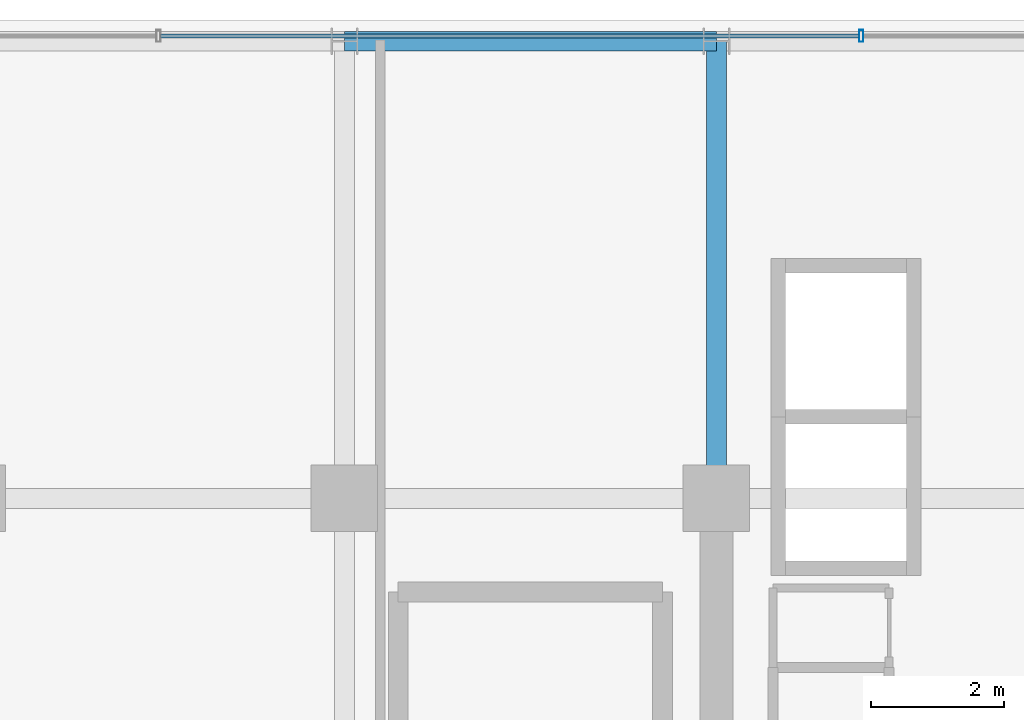
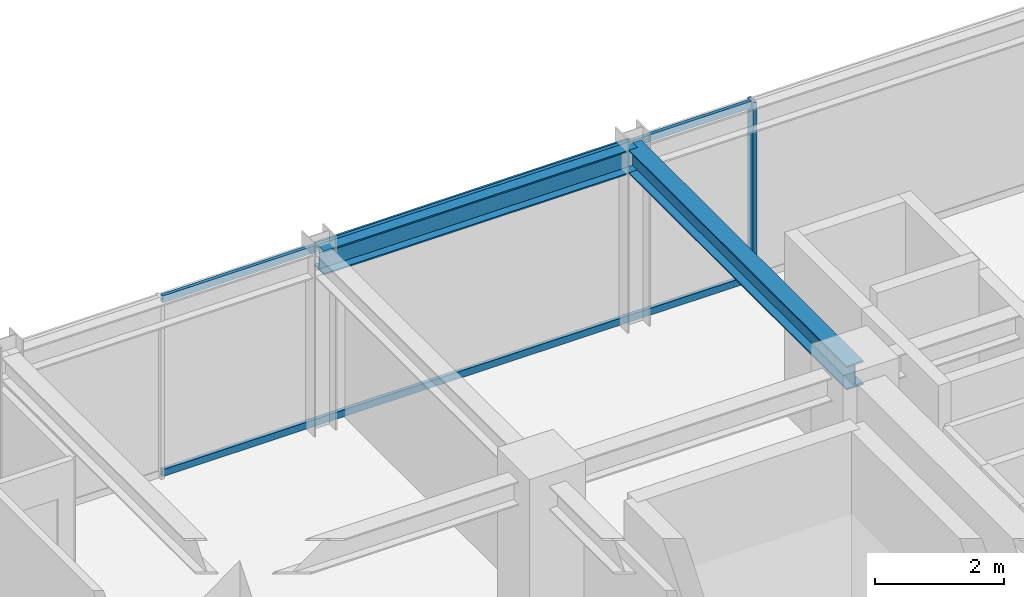
# One storey, part 25 of 35: 3 members, 2 beams, 1 element without a shape of its own.
"""IFC4 building model written with IfcOpenShell, lengths in metres."""

import ifcopenshell
import ifcopenshell.guid

model = None  # the IFC model being written
_history = None  # IfcOwnerHistory: only IFC2X3 demands one
_inside = {}  # id of a spatial element -> (the spatial element, [elements in it])
_under = {}  # id of a project, library or spatial element -> (it, [spatial elements below it])
_declared = {}  # id of a project -> (the project, [libraries it declares])
_typed = {}  # id of a type object -> (the type object, [elements of that type])
_made_of = {}  # id of a material, layer set ... -> (it, [elements and type objects made of it])


def new_model(schema):
    """Start an empty IFC model of exactly this schema.

    Asked for "IFC4X3", IfcOpenShell would pick the latest addendum, in which some entities
    have other attributes; the version numbers below select the first issue.
    IFC2X3 requires an IfcOwnerHistory on every rooted entity: one is made here for all.
    """
    global model, _history
    if schema == "IFC4X3":
        model = ifcopenshell.file(schema_version=(4, 3, 0, 0))
    else:
        model = ifcopenshell.file(schema=schema)
    _inside.clear()
    _under.clear()
    _declared.clear()
    _typed.clear()
    _made_of.clear()
    _history = None
    if model.schema == "IFC2X3":
        org = make("IfcOrganization", Name="unknown")
        user = make(
            "IfcPersonAndOrganization",
            ThePerson=make("IfcPerson", FamilyName="unknown"),
            TheOrganization=org,
        )
        app = make(
            "IfcApplication",
            ApplicationDeveloper=org,
            Version="unknown",
            ApplicationFullName="unknown",
            ApplicationIdentifier="unknown",
        )
        _history = make(
            "IfcOwnerHistory",
            OwningUser=user,
            OwningApplication=app,
            ChangeAction="ADDED",
            CreationDate=0,
        )
    return model


def make(cls, **values):
    """One entity of the class cls with the attributes given. An attribute that is None is left unset."""
    return model.create_entity(
        cls, **{name: value for name, value in values.items() if value is not None}
    )


def rooted(cls, **values):
    """An entity with a GlobalId (a new one), such as an element, a storey or a relation."""
    return make(cls, GlobalId=ifcopenshell.guid.new(), OwnerHistory=_history, **values)


def si_unit(unit_type, name, prefix=None):
    """IfcSIUnit, for example si_unit("LENGTHUNIT", "METRE", prefix="MILLI")."""
    return make("IfcSIUnit", UnitType=unit_type, Prefix=prefix, Name=name)


def assignment(units):
    """IfcUnitAssignment: the units of a project."""
    return None if units is None else make("IfcUnitAssignment", Units=units)


def point(xyz):
    """IfcCartesianPoint."""
    return None if xyz is None else make("IfcCartesianPoint", Coordinates=xyz)


def direction(xyz):
    """IfcDirection."""
    return None if xyz is None else make("IfcDirection", DirectionRatios=xyz)


def frame(location, z_axis=None, x_axis=None):
    """IfcAxis2Placement3D, a coordinate frame: its origin and axes. An axis left out is left unset."""
    return make(
        "IfcAxis2Placement3D",
        Location=point(location),
        Axis=direction(z_axis),
        RefDirection=direction(x_axis),
    )


def frame_2d(location, x_axis=None):
    """IfcAxis2Placement2D, a coordinate frame in the plane: its origin and x axis."""
    return make(
        "IfcAxis2Placement2D", Location=point(location), RefDirection=direction(x_axis)
    )


def origin():
    """The frame at (0, 0, 0) with its axes left unset."""
    return frame((0.0, 0.0, 0.0))


def origin_2d():
    """The frame at (0, 0) in the plane with its x axis left unset."""
    return frame_2d((0.0, 0.0))


def place(relative_to, where):
    """IfcLocalPlacement: puts the frame where relative to a parent placement (None: the world)."""
    return make(
        "IfcLocalPlacement", PlacementRelTo=relative_to, RelativePlacement=where
    )


def context(
    kind, dimensions, precision=None, world=None, true_north=None, identifier=None
):
    """IfcGeometricRepresentationContext, for example the 3D "Model" context."""
    return make(
        "IfcGeometricRepresentationContext",
        ContextIdentifier=identifier,
        ContextType=kind,
        CoordinateSpaceDimension=dimensions,
        Precision=precision,
        WorldCoordinateSystem=world,
        TrueNorth=true_north,
    )


def subcontext(parent, identifier, kind, view, scale=None):
    """IfcGeometricRepresentationSubContext, for example "Body" below "Model"."""
    return make(
        "IfcGeometricRepresentationSubContext",
        ContextIdentifier=identifier,
        ContextType=kind,
        ParentContext=parent,
        TargetScale=scale,
        TargetView=view,
    )


def project(units=None, contexts=None):
    """IfcProject with its units and contexts."""
    return rooted(
        "IfcProject",
        Name="project",
        RepresentationContexts=contexts,
        UnitsInContext=assignment(units),
    )


def spatial(cls, under=None, at=None, **own):
    """A site, building, storey or space (cls), placed at a placement, below another one or the project."""
    s = rooted(cls, ObjectPlacement=at, **own)
    if under is not None:
        _under.setdefault(under.id(), (under, []))[1].append(s)
    return s


def profile(cls, at=None, kind="AREA", **sizes):
    """A parametric profile (cls). Its sizes go by their IFC names, for example OverallWidth=200.0."""
    return make(cls, ProfileType=kind, Position=at, **sizes)


def hollow_rectangle(**sizes):
    """IfcRectangleHollowProfileDef."""
    return profile("IfcRectangleHollowProfileDef", **sizes)


def i_section(**sizes):
    """IfcIShapeProfileDef."""
    return profile("IfcIShapeProfileDef", **sizes)


def extrude(swept, where, along, depth):
    """IfcExtrudedAreaSolid: the profile swept, set in the frame where, extruded along a direction by depth."""
    return make(
        "IfcExtrudedAreaSolid",
        SweptArea=swept,
        Position=where,
        ExtrudedDirection=direction(along),
        Depth=depth,
    )


def shape(context_of_items, identifier, shape_type, items):
    """IfcShapeRepresentation: the items that make up one representation, for example the "Body"."""
    return make(
        "IfcShapeRepresentation",
        ContextOfItems=context_of_items,
        RepresentationIdentifier=identifier,
        RepresentationType=shape_type,
        Items=items,
    )


def source(mapping_origin, context_of_items, identifier, shape_type, items):
    """IfcRepresentationMap: a shape defined once, which mapped items show again and again."""
    return make(
        "IfcRepresentationMap",
        MappingOrigin=mapping_origin,
        MappedRepresentation=shape(context_of_items, identifier, shape_type, items),
    )


def transform(
    local_origin,
    x_axis=None,
    y_axis=None,
    z_axis=None,
    scale=None,
    scale2=None,
    scale3=None,
    uniform=True,
):
    """IfcCartesianTransformationOperator3D, or its non-uniform kind. x_axis, y_axis, z_axis: its Axis1, 2, 3."""
    if uniform:
        return make(
            "IfcCartesianTransformationOperator3D",
            Axis1=direction(x_axis),
            Axis2=direction(y_axis),
            LocalOrigin=point(local_origin),
            Scale=scale,
            Axis3=direction(z_axis),
        )
    return make(
        "IfcCartesianTransformationOperator3DnonUniform",
        Axis1=direction(x_axis),
        Axis2=direction(y_axis),
        LocalOrigin=point(local_origin),
        Scale=scale,
        Axis3=direction(z_axis),
        Scale2=scale2,
        Scale3=scale3,
    )


def mapped(mapping_source, mapping_target):
    """IfcMappedItem: shows the shape of a source again, moved by a transform."""
    return make(
        "IfcMappedItem", MappingSource=mapping_source, MappingTarget=mapping_target
    )


def material(Name=None, Category=None):
    """IfcMaterial."""
    return make("IfcMaterial", Name=Name, Category=Category)


def material_profile(
    of_material, cross_section, Name=None, Category=None, Priority=None
):
    """IfcMaterialProfile: a cross section and its material."""
    return make(
        "IfcMaterialProfile",
        Name=Name,
        Material=of_material,
        Profile=cross_section,
        Priority=Priority,
        Category=Category,
    )


def profile_set(profiles, Name=None, composite=None):
    """IfcMaterialProfileSet."""
    return make(
        "IfcMaterialProfileSet",
        Name=Name,
        MaterialProfiles=profiles,
        CompositeProfile=composite,
    )


def made_of(thing, what):
    """Note that an element or type object is made of a material, layer set ...; save() writes the relation."""
    if what is not None:
        _made_of.setdefault(what.id(), (what, []))[1].append(thing)
    return thing


def type_object(cls, material=None, **own):
    """A type object (cls), such as IfcWallType, which elements share."""
    return made_of(rooted(cls, **own), material)


def element(
    cls,
    number,
    at=None,
    inside=None,
    cuts=None,
    type_object=None,
    material=None,
    context=None,
    identifier="Body",
    shape_type=None,
    held_by="IfcProductDefinitionShape",
    body=None,
    shapes=None,
    **own,
):
    """One element of the class cls, such as IfcWall. Its Tag is "e" and its number.

    at: its placement. inside: the storey or other place that contains it. cuts: it is an
    opening in that element (IfcRelVoidsElement). A single representation is given by context,
    identifier, shape_type and body (its items); several are given by shapes. held_by: the class
    of the entity that holds the representations. save() writes the other relations.
    """
    e = rooted(cls, Tag="e%d" % number, ObjectPlacement=at, **own)
    if body is not None:
        shapes = [shape(context, identifier, shape_type, body)]
    if shapes is not None:
        e.Representation = make(held_by, Representations=shapes)
    if inside is not None:
        _inside.setdefault(inside.id(), (inside, []))[1].append(e)
    if cuts is not None:
        rooted(
            "IfcRelVoidsElement", RelatingBuildingElement=cuts, RelatedOpeningElement=e
        )
    if type_object is not None:
        _typed.setdefault(type_object.id(), (type_object, []))[1].append(e)
    return made_of(e, material)


def aggregate(whole, parts):
    """IfcRelAggregates: a whole, such as a stair, and the parts it consists of."""
    return rooted("IfcRelAggregates", RelatingObject=whole, RelatedObjects=parts)


def save(model, path):
    """Write the relations noted so far, then the file.

    IfcRelAggregates (storeys below a building ...), IfcRelContainedInSpatialStructure (elements
    in a storey), IfcRelDefinesByType, IfcRelAssociatesMaterial and IfcRelDeclares: one each for
    every whole, place, type object, material and project.
    """
    for whole, parts in _under.values():
        aggregate(whole, parts)
    for where, things in _inside.values():
        rooted(
            "IfcRelContainedInSpatialStructure",
            RelatedElements=things,
            RelatingStructure=where,
        )
    for kind, things in _typed.values():
        rooted("IfcRelDefinesByType", RelatedObjects=things, RelatingType=kind)
    for what, things in _made_of.values():
        rooted("IfcRelAssociatesMaterial", RelatedObjects=things, RelatingMaterial=what)
    for by, libraries in _declared.values():
        rooted("IfcRelDeclares", RelatingContext=by, RelatedDefinitions=libraries)
    model.write(path)


model = new_model("IFC4")

# Units and contexts
model_context = context("Model", 3, precision=1e-05, world=origin(), true_north=direction((0.0, 1.0)))
body_context = subcontext(model_context, "Body", "Model", "MODEL_VIEW")
ifc_project = project(units=[si_unit("LENGTHUNIT", "METRE"), si_unit("AREAUNIT", "SQUARE_METRE"), si_unit("VOLUMEUNIT", "CUBIC_METRE"), si_unit("PLANEANGLEUNIT", "RADIAN"), si_unit("MASSUNIT", "GRAM", prefix="KILO")], contexts=[model_context])

# Site, building, storey
site_placement = place(None, origin())
site = spatial("IfcSite", under=ifc_project, at=site_placement, CompositionType="ELEMENT")
building_placement = place(site_placement, origin())
building = spatial("IfcBuilding", under=site, at=building_placement, Name="Nahalor Promenade Grand Hotel", CompositionType="ELEMENT")
storey_placement = place(building_placement, frame((0.0, 0.0, 245.60009765625)))
storey = spatial("IfcBuildingStorey", under=building, at=storey_placement, Name="L63", CompositionType="ELEMENT", Elevation=245.60009765625)

# Beams
ifc_material_1 = material(Name="Steel S355JR", Category="steel")
ifc_material_profile_1 = material_profile(ifc_material_1, i_section(OverallWidth=0.3, OverallDepth=0.45, WebThickness=0.014, FlangeThickness=0.026, at=origin_2d()), Name="HEB 450")
ifc_profile_set_1 = profile_set([ifc_material_profile_1], Name="Steel S355JR")
beam_type_1 = type_object("IfcBeamType", Name="Beam-Spandrel-HEB450", PredefinedType="SPANDREL", material=ifc_profile_set_1)
shared_shape_1 = source(origin(), body_context, "Body", "SweptSolid", [
    extrude(i_section(OverallWidth=0.3, OverallDepth=0.45, WebThickness=0.014, FlangeThickness=0.026, at=origin_2d()), origin(), (0.0, 0.0, 1.0), 5.599853515625),
])
beam_1_placement = place(storey_placement, frame((2.800048828125, 23.8798828125, 3.184814453125), z_axis=(1.0, 0.0, 0.0), x_axis=(0.0, 1.0, 0.0)))
element("IfcBeam", 1, at=beam_1_placement, inside=storey, type_object=beam_type_1, Name="BM-L63-SP-N-3", PredefinedType="SPANDREL", context=body_context, shape_type="MappedRepresentation", body=[
    mapped(shared_shape_1, transform((0.0, 0.0, 0.0), scale=1.0)),
])
ifc_material_profile_2 = material_profile(ifc_material_1, i_section(OverallWidth=0.3, OverallDepth=0.45, WebThickness=0.014, FlangeThickness=0.026, at=origin_2d()), Name="HEB 450")
ifc_profile_set_2 = profile_set([ifc_material_profile_2], Name="Steel S355JR")
beam_type_2 = type_object("IfcBeamType", Name="Beam-Girder-HEB450", PredefinedType="BEAM", material=ifc_profile_set_2)
shared_shape_2 = source(origin(), body_context, "Body", "SweptSolid", [
    extrude(i_section(OverallWidth=0.3, OverallDepth=0.45, WebThickness=0.014, FlangeThickness=0.026, at=origin_2d()), origin(), (0.0, 0.0, 1.0), 6.8798828125),
])
beam_2_placement = place(storey_placement, frame((8.39990234375, 17.0, 3.184814453125), z_axis=(0.0, 1.0, 0.0), x_axis=(-1.0, 0.0, 0.0)))
element("IfcBeam", 2, at=beam_2_placement, inside=storey, type_object=beam_type_2, Name="BM-L63-GY-4-4", PredefinedType="BEAM", context=body_context, shape_type="MappedRepresentation", body=[
    mapped(shared_shape_2, transform((0.0, 0.0, 0.0), scale=1.0)),
])

# Curtain wall, members
ifc_material_2 = material(Name="Anodised Bronze Aluminium EN AW-6063 T6", Category="aluminium")
curtain_wall_type = type_object("IfcCurtainWallType", Name="CW2 Typical Hotel Flush Bronze Unitised Curtain Wall", PredefinedType="USERDEFINED", material=ifc_material_2)
curtain_wall_placement = place(storey_placement, origin())
curtain_wall = element("IfcCurtainWall", 3, at=curtain_wall_placement, inside=storey, type_object=curtain_wall_type, Name="L63 Curtain Wall CW-L63-N-1", ObjectType="UNITISED_CURTAIN_WALL", PredefinedType="USERDEFINED")
ifc_material_profile_3 = material_profile(ifc_material_2, hollow_rectangle(XDim=0.065, YDim=0.13, WallThickness=0.004, at=origin_2d()), Name="CWT 65x130x4")
ifc_profile_set_3 = profile_set([ifc_material_profile_3], Name="Anodised Bronze Aluminium EN AW-6063 T6")
member_type_1 = type_object("IfcMemberType", Name="CWT2 Typical Bronze Transom 65x130", PredefinedType="USERDEFINED", material=ifc_profile_set_3)
shared_shape_3 = source(origin(), body_context, "Body", "SweptSolid", [
    extrude(hollow_rectangle(XDim=0.065, YDim=0.13, WallThickness=0.004, at=origin_2d()), origin(), (0.0, 0.0, 1.0), 10.51513671875),
])
member_1_placement = place(storey_placement, frame((0.032470703125, 23.9599609375, 0.06494140625), z_axis=(1.0, 0.0, 0.0), x_axis=(0.0, 1.0, 0.0)))
member_1 = element("IfcMember", 4, at=member_1_placement, type_object=member_type_1, Name="CW-L63-N-1 Transom 2-0", ObjectType="TRANSOM", PredefinedType="USERDEFINED", context=body_context, shape_type="MappedRepresentation", body=[
    mapped(shared_shape_3, transform((0.0, 0.0, 0.0), scale=1.0)),
])
member_2_placement = place(storey_placement, frame((0.032470703125, 23.9599609375, 3.344970703125), z_axis=(1.0, 0.0, 0.0), x_axis=(0.0, 1.0, 0.0)))
member_2 = element("IfcMember", 5, at=member_2_placement, type_object=member_type_1, Name="CW-L63-N-1 Transom 2-1", ObjectType="TRANSOM", PredefinedType="USERDEFINED", context=body_context, shape_type="MappedRepresentation", body=[
    mapped(shared_shape_3, transform((0.0, 0.0, 0.0), scale=1.0)),
])
ifc_material_profile_4 = material_profile(ifc_material_2, hollow_rectangle(XDim=0.065, YDim=0.18, WallThickness=0.004, at=origin_2d()), Name="CWM 65x180x4")
ifc_profile_set_4 = profile_set([ifc_material_profile_4], Name="Anodised Bronze Aluminium EN AW-6063 T6")
member_type_2 = type_object("IfcMemberType", Name="CWM2 Typical Bronze Mullion 65x180", PredefinedType="MULLION", material=ifc_profile_set_4)
shared_shape_4 = source(origin(), body_context, "Body", "SweptSolid", [
    extrude(hollow_rectangle(XDim=0.065, YDim=0.18, WallThickness=0.004, at=origin_2d()), origin(), (0.0, 0.0, 1.0), 3.409912109375),
])
member_3_placement = place(storey_placement, frame((10.580078125, 23.9599609375, 0.0), z_axis=(0.0, 0.0, 1.0), x_axis=(1.0, 0.0, 0.0)))
member_3 = element("IfcMember", 6, at=member_3_placement, type_object=member_type_2, Name="CW-L63-N-1 Mullion 3", PredefinedType="MULLION", context=body_context, shape_type="MappedRepresentation", body=[
    mapped(shared_shape_4, transform((0.0, 0.0, 0.0), scale=1.0)),
])
aggregate(curtain_wall, [member_3, member_1, member_2])

save(model, "model.ifc")
